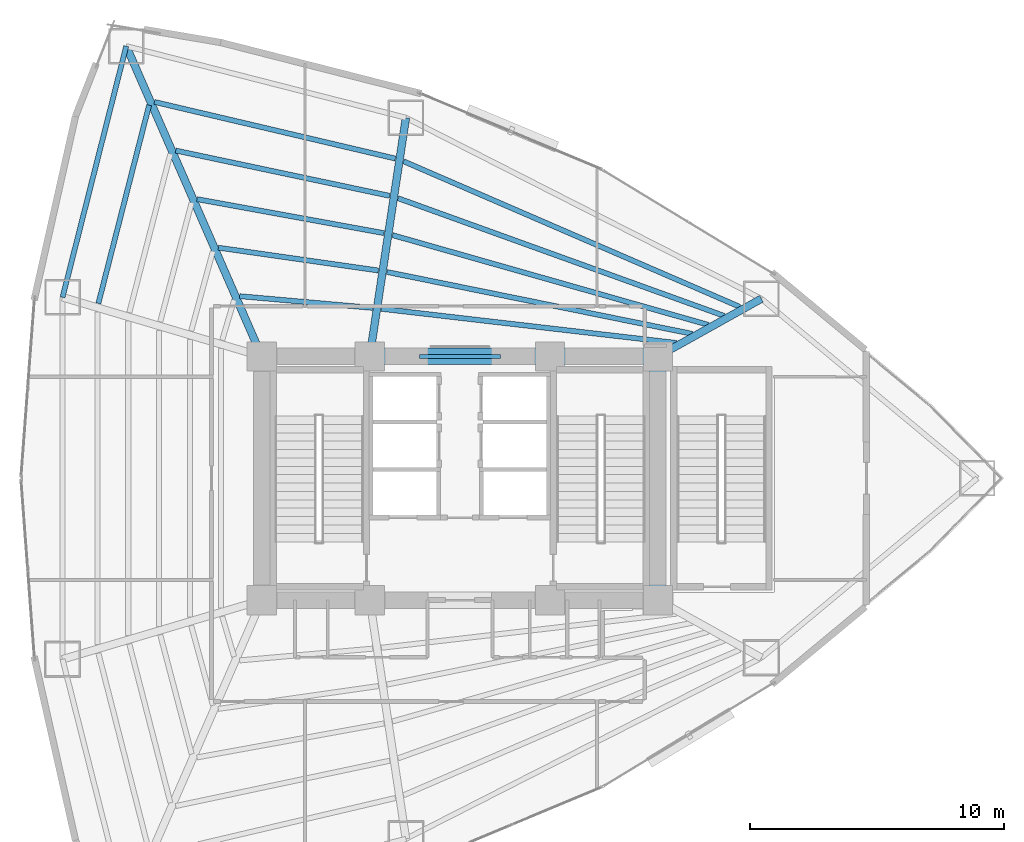
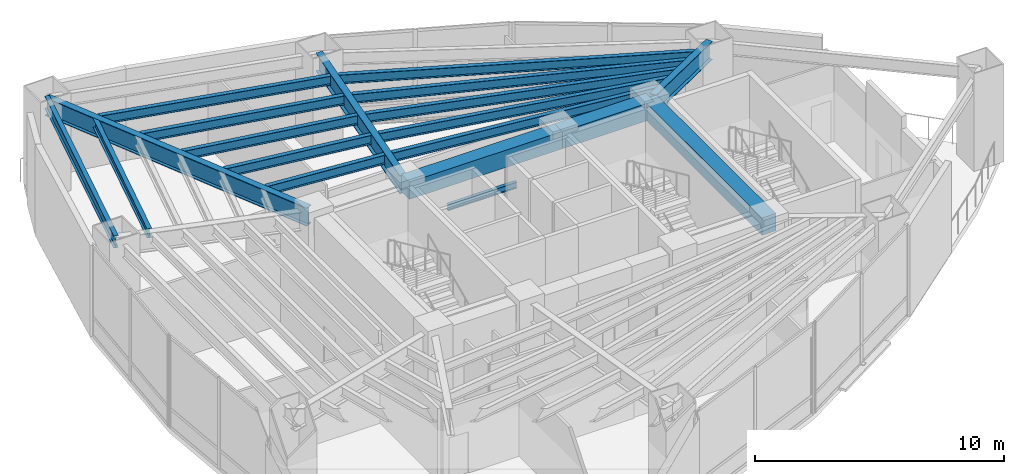
# One storey, part 9 of 18: 19 beams.
"""IFC4 building model written with IfcOpenShell, lengths in metres."""

import ifcopenshell
import ifcopenshell.guid

model = None  # the IFC model being written
_history = None  # IfcOwnerHistory: only IFC2X3 demands one
_inside = {}  # id of a spatial element -> (the spatial element, [elements in it])
_under = {}  # id of a project, library or spatial element -> (it, [spatial elements below it])
_declared = {}  # id of a project -> (the project, [libraries it declares])
_typed = {}  # id of a type object -> (the type object, [elements of that type])
_made_of = {}  # id of a material, layer set ... -> (it, [elements and type objects made of it])


def new_model(schema):
    """Start an empty IFC model of exactly this schema.

    Asked for "IFC4X3", IfcOpenShell would pick the latest addendum, in which some entities
    have other attributes; the version numbers below select the first issue.
    IFC2X3 requires an IfcOwnerHistory on every rooted entity: one is made here for all.
    """
    global model, _history
    if schema == "IFC4X3":
        model = ifcopenshell.file(schema_version=(4, 3, 0, 0))
    else:
        model = ifcopenshell.file(schema=schema)
    _inside.clear()
    _under.clear()
    _declared.clear()
    _typed.clear()
    _made_of.clear()
    _history = None
    if model.schema == "IFC2X3":
        org = make("IfcOrganization", Name="unknown")
        user = make(
            "IfcPersonAndOrganization",
            ThePerson=make("IfcPerson", FamilyName="unknown"),
            TheOrganization=org,
        )
        app = make(
            "IfcApplication",
            ApplicationDeveloper=org,
            Version="unknown",
            ApplicationFullName="unknown",
            ApplicationIdentifier="unknown",
        )
        _history = make(
            "IfcOwnerHistory",
            OwningUser=user,
            OwningApplication=app,
            ChangeAction="ADDED",
            CreationDate=0,
        )
    return model


def make(cls, **values):
    """One entity of the class cls with the attributes given. An attribute that is None is left unset."""
    return model.create_entity(
        cls, **{name: value for name, value in values.items() if value is not None}
    )


def rooted(cls, **values):
    """An entity with a GlobalId (a new one), such as an element, a storey or a relation."""
    return make(cls, GlobalId=ifcopenshell.guid.new(), OwnerHistory=_history, **values)


def si_unit(unit_type, name, prefix=None):
    """IfcSIUnit, for example si_unit("LENGTHUNIT", "METRE", prefix="MILLI")."""
    return make("IfcSIUnit", UnitType=unit_type, Prefix=prefix, Name=name)


def assignment(units):
    """IfcUnitAssignment: the units of a project."""
    return None if units is None else make("IfcUnitAssignment", Units=units)


def point(xyz):
    """IfcCartesianPoint."""
    return None if xyz is None else make("IfcCartesianPoint", Coordinates=xyz)


def direction(xyz):
    """IfcDirection."""
    return None if xyz is None else make("IfcDirection", DirectionRatios=xyz)


def frame(location, z_axis=None, x_axis=None):
    """IfcAxis2Placement3D, a coordinate frame: its origin and axes. An axis left out is left unset."""
    return make(
        "IfcAxis2Placement3D",
        Location=point(location),
        Axis=direction(z_axis),
        RefDirection=direction(x_axis),
    )


def frame_2d(location, x_axis=None):
    """IfcAxis2Placement2D, a coordinate frame in the plane: its origin and x axis."""
    return make(
        "IfcAxis2Placement2D", Location=point(location), RefDirection=direction(x_axis)
    )


def origin():
    """The frame at (0, 0, 0) with its axes left unset."""
    return frame((0.0, 0.0, 0.0))


def origin_2d():
    """The frame at (0, 0) in the plane with its x axis left unset."""
    return frame_2d((0.0, 0.0))


def place(relative_to, where):
    """IfcLocalPlacement: puts the frame where relative to a parent placement (None: the world)."""
    return make(
        "IfcLocalPlacement", PlacementRelTo=relative_to, RelativePlacement=where
    )


def context(
    kind, dimensions, precision=None, world=None, true_north=None, identifier=None
):
    """IfcGeometricRepresentationContext, for example the 3D "Model" context."""
    return make(
        "IfcGeometricRepresentationContext",
        ContextIdentifier=identifier,
        ContextType=kind,
        CoordinateSpaceDimension=dimensions,
        Precision=precision,
        WorldCoordinateSystem=world,
        TrueNorth=true_north,
    )


def subcontext(parent, identifier, kind, view, scale=None):
    """IfcGeometricRepresentationSubContext, for example "Body" below "Model"."""
    return make(
        "IfcGeometricRepresentationSubContext",
        ContextIdentifier=identifier,
        ContextType=kind,
        ParentContext=parent,
        TargetScale=scale,
        TargetView=view,
    )


def project(units=None, contexts=None):
    """IfcProject with its units and contexts."""
    return rooted(
        "IfcProject",
        Name="project",
        RepresentationContexts=contexts,
        UnitsInContext=assignment(units),
    )


def spatial(cls, under=None, at=None, **own):
    """A site, building, storey or space (cls), placed at a placement, below another one or the project."""
    s = rooted(cls, ObjectPlacement=at, **own)
    if under is not None:
        _under.setdefault(under.id(), (under, []))[1].append(s)
    return s


def profile(cls, at=None, kind="AREA", **sizes):
    """A parametric profile (cls). Its sizes go by their IFC names, for example OverallWidth=200.0."""
    return make(cls, ProfileType=kind, Position=at, **sizes)


def rectangle(**sizes):
    """IfcRectangleProfileDef."""
    return profile("IfcRectangleProfileDef", **sizes)


def i_section(**sizes):
    """IfcIShapeProfileDef."""
    return profile("IfcIShapeProfileDef", **sizes)


def extrude(swept, where, along, depth):
    """IfcExtrudedAreaSolid: the profile swept, set in the frame where, extruded along a direction by depth."""
    return make(
        "IfcExtrudedAreaSolid",
        SweptArea=swept,
        Position=where,
        ExtrudedDirection=direction(along),
        Depth=depth,
    )


def shape(context_of_items, identifier, shape_type, items):
    """IfcShapeRepresentation: the items that make up one representation, for example the "Body"."""
    return make(
        "IfcShapeRepresentation",
        ContextOfItems=context_of_items,
        RepresentationIdentifier=identifier,
        RepresentationType=shape_type,
        Items=items,
    )


def material(Name=None, Category=None):
    """IfcMaterial."""
    return make("IfcMaterial", Name=Name, Category=Category)


def material_profile(
    of_material, cross_section, Name=None, Category=None, Priority=None
):
    """IfcMaterialProfile: a cross section and its material."""
    return make(
        "IfcMaterialProfile",
        Name=Name,
        Material=of_material,
        Profile=cross_section,
        Priority=Priority,
        Category=Category,
    )


def profile_set(profiles, Name=None, composite=None):
    """IfcMaterialProfileSet."""
    return make(
        "IfcMaterialProfileSet",
        Name=Name,
        MaterialProfiles=profiles,
        CompositeProfile=composite,
    )


def made_of(thing, what):
    """Note that an element or type object is made of a material, layer set ...; save() writes the relation."""
    if what is not None:
        _made_of.setdefault(what.id(), (what, []))[1].append(thing)
    return thing


def type_object(cls, material=None, **own):
    """A type object (cls), such as IfcWallType, which elements share."""
    return made_of(rooted(cls, **own), material)


def element(
    cls,
    number,
    at=None,
    inside=None,
    cuts=None,
    type_object=None,
    material=None,
    context=None,
    identifier="Body",
    shape_type=None,
    held_by="IfcProductDefinitionShape",
    body=None,
    shapes=None,
    **own,
):
    """One element of the class cls, such as IfcWall. Its Tag is "e" and its number.

    at: its placement. inside: the storey or other place that contains it. cuts: it is an
    opening in that element (IfcRelVoidsElement). A single representation is given by context,
    identifier, shape_type and body (its items); several are given by shapes. held_by: the class
    of the entity that holds the representations. save() writes the other relations.
    """
    e = rooted(cls, Tag="e%d" % number, ObjectPlacement=at, **own)
    if body is not None:
        shapes = [shape(context, identifier, shape_type, body)]
    if shapes is not None:
        e.Representation = make(held_by, Representations=shapes)
    if inside is not None:
        _inside.setdefault(inside.id(), (inside, []))[1].append(e)
    if cuts is not None:
        rooted(
            "IfcRelVoidsElement", RelatingBuildingElement=cuts, RelatedOpeningElement=e
        )
    if type_object is not None:
        _typed.setdefault(type_object.id(), (type_object, []))[1].append(e)
    return made_of(e, material)


def aggregate(whole, parts):
    """IfcRelAggregates: a whole, such as a stair, and the parts it consists of."""
    return rooted("IfcRelAggregates", RelatingObject=whole, RelatedObjects=parts)


def save(model, path):
    """Write the relations noted so far, then the file.

    IfcRelAggregates (storeys below a building ...), IfcRelContainedInSpatialStructure (elements
    in a storey), IfcRelDefinesByType, IfcRelAssociatesMaterial and IfcRelDeclares: one each for
    every whole, place, type object, material and project.
    """
    for whole, parts in _under.values():
        aggregate(whole, parts)
    for where, things in _inside.values():
        rooted(
            "IfcRelContainedInSpatialStructure",
            RelatedElements=things,
            RelatingStructure=where,
        )
    for kind, things in _typed.values():
        rooted("IfcRelDefinesByType", RelatedObjects=things, RelatingType=kind)
    for what, things in _made_of.values():
        rooted("IfcRelAssociatesMaterial", RelatedObjects=things, RelatingMaterial=what)
    for by, libraries in _declared.values():
        rooted("IfcRelDeclares", RelatingContext=by, RelatedDefinitions=libraries)
    model.write(path)


model = new_model("IFC4")

# Units and contexts
model_context = context("Model", 3, precision=1e-05, world=origin(), true_north=direction((0.0, 1.0)))
body_context = subcontext(model_context, "Body", "Model", "MODEL_VIEW")
ifc_project = project(units=[si_unit("LENGTHUNIT", "METRE"), si_unit("AREAUNIT", "SQUARE_METRE"), si_unit("VOLUMEUNIT", "CUBIC_METRE"), si_unit("PLANEANGLEUNIT", "RADIAN"), si_unit("MASSUNIT", "GRAM", prefix="KILO")], contexts=[model_context])

# Site, building, storey
site_placement = place(None, origin())
site = spatial("IfcSite", under=ifc_project, at=site_placement, CompositionType="ELEMENT")
building_placement = place(site_placement, origin())
building = spatial("IfcBuilding", under=site, at=building_placement, Name="Menara Vayukalpa", CompositionType="ELEMENT")
storey_placement = place(building_placement, frame((0.0, 0.0, 18.0)))
storey = spatial("IfcBuildingStorey", under=building, at=storey_placement, Name="L03", CompositionType="ELEMENT", Elevation=18.0)

# Beams
ifc_material_1 = material(Name="Concrete C60/75", Category="concrete")
ifc_material_profile_1 = material_profile(ifc_material_1, rectangle(XDim=0.64990234375, YDim=0.85009765625, at=origin_2d()), Name="RC 650x850")
ifc_profile_set_1 = profile_set([ifc_material_profile_1], Name="Concrete C60/75")
beam_type_1 = type_object("IfcBeamType", Name="BM-CB1", PredefinedType="BEAM", material=ifc_profile_set_1)
beam_1_placement = place(storey_placement, frame((22.050048828125, 26.800048828125, 4.054931640625), z_axis=(1.0, 0.0, 0.0), x_axis=(0.0, 1.0, 0.0)))
element("IfcBeam", 1, at=beam_1_placement, inside=storey, type_object=beam_type_1, Name="L03 Core Tie Beam CBR5", PredefinedType="BEAM", context=body_context, shape_type="SweptSolid", body=[
    extrude(rectangle(XDim=0.64990234375, YDim=0.85009765625, at=origin_2d()), origin(), (0.0, 0.0, 1.0), 7.099853515625),
])
beam_2_placement = place(storey_placement, frame((29.14990234375, 26.800048828125, 4.054931640625), z_axis=(1.0, 0.0, 0.0), x_axis=(0.0, 1.0, 0.0)))
element("IfcBeam", 2, at=beam_2_placement, inside=storey, type_object=beam_type_1, Name="L03 Core Tie Beam CBR6", PredefinedType="BEAM", context=body_context, shape_type="SweptSolid", body=[
    extrude(rectangle(XDim=0.64990234375, YDim=0.85009765625, at=origin_2d()), origin(), (0.0, 0.0, 1.0), 4.25),
])
beam_3_placement = place(storey_placement, frame((33.39990234375, 17.199951171875, 4.054931640625), z_axis=(0.0, 1.0, 0.0), x_axis=(-1.0, 0.0, 0.0)))
element("IfcBeam", 3, at=beam_3_placement, inside=storey, type_object=beam_type_1, Name="L03 Core Tie Beam CBR8", PredefinedType="BEAM", context=body_context, shape_type="SweptSolid", body=[
    extrude(rectangle(XDim=0.64990234375, YDim=0.85009765625, at=origin_2d()), origin(), (0.0, 0.0, 1.0), 9.60009765625),
])
ifc_material_2 = material(Name="Steel S355", Category="steel")
ifc_material_profile_2 = material_profile(ifc_material_2, i_section(OverallWidth=0.14990234375, OverallDepth=0.300048828125, WebThickness=0.006591796875, FlangeThickness=0.009033203125, at=origin_2d()), Name="WF 300x150x6.5x9")
ifc_profile_set_2 = profile_set([ifc_material_profile_2], Name="Steel S355")
beam_type_2 = type_object("IfcBeamType", Name="BM-LN1", PredefinedType="LINTEL", material=ifc_profile_set_2)
beam_4_placement = place(storey_placement, frame((24.0, 26.800048828125, 2.3798828125), z_axis=(1.0, 0.0, 0.0), x_axis=(0.0, 1.0, 0.0)))
element("IfcBeam", 4, at=beam_4_placement, inside=storey, type_object=beam_type_2, Name="L03 North Core Steel Lintel LN1", PredefinedType="LINTEL", context=body_context, shape_type="SweptSolid", body=[
    extrude(i_section(OverallWidth=0.14990234375, OverallDepth=0.300048828125, WebThickness=0.006591796875, FlangeThickness=0.009033203125, at=origin_2d()), origin(), (0.0, 0.0, 1.0), 3.199951171875),
])
ifc_material_3 = material(Name="Steel S355", Category="steel")
ifc_material_profile_3 = material_profile(ifc_material_3, i_section(OverallWidth=0.300048828125, OverallDepth=0.89990234375, WebThickness=0.01611328125, FlangeThickness=0.028076171875, at=origin_2d()), Name="WF 900x300x16x28")
ifc_profile_set_3 = profile_set([ifc_material_profile_3], Name="Steel S355")
beam_type_3 = type_object("IfcBeamType", Name="BM-PG1", PredefinedType="BEAM", material=ifc_profile_set_3)
beam_5_placement = place(storey_placement, frame((33.618408203125, 26.921630859375, 4.030029296875), z_axis=(0.873472891879, 0.486872783335, 0.0), x_axis=(-0.486872783335, 0.873472891879, 0.0)))
element("IfcBeam", 5, at=beam_5_placement, inside=storey, type_object=beam_type_3, Name="L03 Primary Radial Girder RG02", PredefinedType="BEAM", context=body_context, shape_type="SweptSolid", body=[
    extrude(i_section(OverallWidth=0.300048828125, OverallDepth=0.89990234375, WebThickness=0.01611328125, FlangeThickness=0.028076171875, at=origin_2d()), origin(), (0.0, 0.0, 1.0), 4.414306640625),
])
beam_6_placement = place(storey_placement, frame((22.08740234375, 27.047119140625, 4.030029296875), z_axis=(0.149956157605, 0.988692647285, 0.0), x_axis=(-0.988692647285, 0.149956157605, 0.0)))
element("IfcBeam", 6, at=beam_6_placement, inside=storey, type_object=beam_type_3, Name="L03 Primary Radial Girder RG03", PredefinedType="BEAM", context=body_context, shape_type="SweptSolid", body=[
    extrude(i_section(OverallWidth=0.300048828125, OverallDepth=0.89990234375, WebThickness=0.01611328125, FlangeThickness=0.028076171875, at=origin_2d()), origin(), (0.0, 0.0, 1.0), 9.25732421875),
])
beam_7_placement = place(storey_placement, frame((17.699951171875, 27.029052734375, 4.030029296875), z_axis=(-0.400426299501, 0.916328968585, 0.0), x_axis=(-0.916328968585, -0.400426299501, 0.0)))
element("IfcBeam", 7, at=beam_7_placement, inside=storey, type_object=beam_type_3, Name="L03 Primary Radial Girder RG04", PredefinedType="BEAM", context=body_context, shape_type="SweptSolid", body=[
    extrude(i_section(OverallWidth=0.300048828125, OverallDepth=0.89990234375, WebThickness=0.01611328125, FlangeThickness=0.028076171875, at=origin_2d()), origin(), (0.0, 0.0, 1.0), 13.084716796875),
])
ifc_material_4 = material(Name="Steel S355", Category="steel")
ifc_material_profile_4 = material_profile(ifc_material_4, i_section(OverallWidth=0.199951171875, OverallDepth=0.449951171875, WebThickness=0.009033203125, FlangeThickness=0.013916015625, at=origin_2d()), Name="WF 450x200x9x14")
ifc_profile_set_4 = profile_set([ifc_material_profile_4], Name="Steel S355")
beam_type_4 = type_object("IfcBeamType", Name="BM-SJ1", PredefinedType="JOIST", material=ifc_profile_set_4)
beam_8_placement = place(storey_placement, frame((34.1435546875, 27.328125, 4.2548828125), z_axis=(-0.993368624996, 0.114972931045, 0.0), x_axis=(-0.114972931045, -0.993368624996, 0.0)))
element("IfcBeam", 8, at=beam_8_placement, inside=storey, type_object=beam_type_4, Name="L03 Secondary Floor Joist SJ02-1", PredefinedType="JOIST", context=body_context, shape_type="SweptSolid", body=[
    extrude(i_section(OverallWidth=0.199951171875, OverallDepth=0.449951171875, WebThickness=0.009033203125, FlangeThickness=0.013916015625, at=origin_2d()), origin(), (0.0, 0.0, 1.0), 11.715087890625),
])
beam_9_placement = place(storey_placement, frame((34.7626953125, 27.686279296875, 4.2548828125), z_axis=(-0.980082096832, 0.198592757847, 0.0), x_axis=(-0.198592757847, -0.980082096832, 0.0)))
element("IfcBeam", 9, at=beam_9_placement, inside=storey, type_object=beam_type_4, Name="L03 Secondary Floor Joist SJ02-2", PredefinedType="JOIST", context=body_context, shape_type="SweptSolid", body=[
    extrude(i_section(OverallWidth=0.199951171875, OverallDepth=0.449951171875, WebThickness=0.009033203125, FlangeThickness=0.013916015625, at=origin_2d()), origin(), (0.0, 0.0, 1.0), 12.28125),
])
beam_10_placement = place(storey_placement, frame((35.3828125, 28.042724609375, 4.2548828125), z_axis=(-0.961920522013, 0.273329305656, 0.0), x_axis=(-0.273329305656, -0.961920522013, 0.0)))
element("IfcBeam", 10, at=beam_10_placement, inside=storey, type_object=beam_type_4, Name="L03 Secondary Floor Joist SJ02-3", PredefinedType="JOIST", context=body_context, shape_type="SweptSolid", body=[
    extrude(i_section(OverallWidth=0.199951171875, OverallDepth=0.449951171875, WebThickness=0.009033203125, FlangeThickness=0.013916015625, at=origin_2d()), origin(), (0.0, 0.0, 1.0), 12.93017578125),
])
beam_11_placement = place(storey_placement, frame((36.003173828125, 28.39794921875, 4.2548828125), z_axis=(-0.94065210614, 0.339372384284, 0.0), x_axis=(-0.339372384284, -0.94065210614, 0.0)))
element("IfcBeam", 11, at=beam_11_placement, inside=storey, type_object=beam_type_4, Name="L03 Secondary Floor Joist SJ02-4", PredefinedType="JOIST", context=body_context, shape_type="SweptSolid", body=[
    extrude(i_section(OverallWidth=0.199951171875, OverallDepth=0.449951171875, WebThickness=0.009033203125, FlangeThickness=0.013916015625, at=origin_2d()), origin(), (0.0, 0.0, 1.0), 13.649658203125),
])
beam_12_placement = place(storey_placement, frame((36.6240234375, 28.751708984375, 4.2548828125), z_axis=(-0.91768786967, 0.397302119125, 0.0), x_axis=(-0.397302119125, -0.91768786967, 0.0)))
element("IfcBeam", 12, at=beam_12_placement, inside=storey, type_object=beam_type_4, Name="L03 Secondary Floor Joist SJ02-5", PredefinedType="JOIST", context=body_context, shape_type="SweptSolid", body=[
    extrude(i_section(OverallWidth=0.199951171875, OverallDepth=0.449951171875, WebThickness=0.009033203125, FlangeThickness=0.013916015625, at=origin_2d()), origin(), (0.0, 0.0, 1.0), 14.43017578125),
])
beam_13_placement = place(storey_placement, frame((22.16796875, 28.709716796875, 4.2548828125), z_axis=(-0.996127818773, 0.08791682812, 0.0), x_axis=(-0.08791682812, -0.996127818773, 0.0)))
element("IfcBeam", 13, at=beam_13_placement, inside=storey, type_object=beam_type_4, Name="L03 Secondary Floor Joist SJ03-1", PredefinedType="JOIST", context=body_context, shape_type="SweptSolid", body=[
    extrude(i_section(OverallWidth=0.199951171875, OverallDepth=0.449951171875, WebThickness=0.009033203125, FlangeThickness=0.013916015625, at=origin_2d()), origin(), (0.0, 0.0, 1.0), 5.26220703125),
])
beam_14_placement = place(storey_placement, frame((22.39111328125, 30.18310546875, 4.2548828125), z_axis=(-0.989991622628, 0.141126139063, 0.0), x_axis=(-0.141126139063, -0.989991622628, 0.0)))
element("IfcBeam", 14, at=beam_14_placement, inside=storey, type_object=beam_type_4, Name="L03 Secondary Floor Joist SJ03-2", PredefinedType="JOIST", context=body_context, shape_type="SweptSolid", body=[
    extrude(i_section(OverallWidth=0.199951171875, OverallDepth=0.449951171875, WebThickness=0.009033203125, FlangeThickness=0.013916015625, at=origin_2d()), origin(), (0.0, 0.0, 1.0), 6.367919921875),
])
beam_15_placement = place(storey_placement, frame((22.6142578125, 31.65380859375, 4.2548828125), z_axis=(-0.98386051846, 0.178937084517, 0.0), x_axis=(-0.178937084517, -0.98386051846, 0.0)))
element("IfcBeam", 15, at=beam_15_placement, inside=storey, type_object=beam_type_4, Name="L03 Secondary Floor Joist SJ03-3", PredefinedType="JOIST", context=body_context, shape_type="SweptSolid", body=[
    extrude(i_section(OverallWidth=0.199951171875, OverallDepth=0.449951171875, WebThickness=0.009033203125, FlangeThickness=0.013916015625, at=origin_2d()), origin(), (0.0, 0.0, 1.0), 7.48779296875),
])
beam_16_placement = place(storey_placement, frame((22.83740234375, 33.123046875, 4.2548828125), z_axis=(-0.978324318859, 0.207078553039, 0.0), x_axis=(-0.207078553039, -0.978324318859, 0.0)))
element("IfcBeam", 16, at=beam_16_placement, inside=storey, type_object=beam_type_4, Name="L03 Secondary Floor Joist SJ03-4", PredefinedType="JOIST", context=body_context, shape_type="SweptSolid", body=[
    extrude(i_section(OverallWidth=0.199951171875, OverallDepth=0.449951171875, WebThickness=0.009033203125, FlangeThickness=0.013916015625, at=origin_2d()), origin(), (0.0, 0.0, 1.0), 8.615966796875),
])
beam_17_placement = place(storey_placement, frame((23.060302734375, 34.59130859375, 4.2548828125), z_axis=(-0.973474607698, 0.228795078983, 0.0), x_axis=(-0.228795078983, -0.973474607698, 0.0)))
element("IfcBeam", 17, at=beam_17_placement, inside=storey, type_object=beam_type_4, Name="L03 Secondary Floor Joist SJ03-5", PredefinedType="JOIST", context=body_context, shape_type="SweptSolid", body=[
    extrude(i_section(OverallWidth=0.199951171875, OverallDepth=0.449951171875, WebThickness=0.009033203125, FlangeThickness=0.013916015625, at=origin_2d()), origin(), (0.0, 0.0, 1.0), 9.749755859375),
])
beam_18_placement = place(storey_placement, frame((13.361328125, 36.696044921875, 4.2548828125), z_axis=(-0.247855728428, -0.9687969539, 0.0), x_axis=(0.9687969539, -0.247855728428, 0.0)))
element("IfcBeam", 18, at=beam_18_placement, inside=storey, type_object=beam_type_4, Name="L03 Secondary Floor Joist SJ04-5", PredefinedType="JOIST", context=body_context, shape_type="SweptSolid", body=[
    extrude(i_section(OverallWidth=0.199951171875, OverallDepth=0.449951171875, WebThickness=0.009033203125, FlangeThickness=0.013916015625, at=origin_2d()), origin(), (0.0, 0.0, 1.0), 8.060302734375),
])
ifc_material_5 = material(Name="Steel S355", Category="steel")
ifc_material_profile_5 = material_profile(ifc_material_5, i_section(OverallWidth=0.199951171875, OverallDepth=0.60009765625, WebThickness=0.010986328125, FlangeThickness=0.01708984375, at=origin_2d()), Name="WF 600x200x11x17")
ifc_profile_set_5 = profile_set([ifc_material_profile_5], Name="Steel S355")
beam_type_5 = type_object("IfcBeamType", Name="BM-SP1", PredefinedType="SPANDREL", material=ifc_profile_set_5)
beam_19_placement = place(storey_placement, frame((12.46044921875, 39.01904296875, 4.179931640625), z_axis=(-0.24585591488, -0.969306385576, 0.0), x_axis=(0.969306385576, -0.24585591488, 0.0)))
element("IfcBeam", 19, at=beam_19_placement, inside=storey, type_object=beam_type_5, Name="L03 Perimeter Spandrel Beam SP04", PredefinedType="SPANDREL", context=body_context, shape_type="SweptSolid", body=[
    extrude(i_section(OverallWidth=0.199951171875, OverallDepth=0.60009765625, WebThickness=0.010986328125, FlangeThickness=0.01708984375, at=origin_2d()), origin(), (0.0, 0.0, 1.0), 10.203369140625),
])

save(model, "model.ifc")
